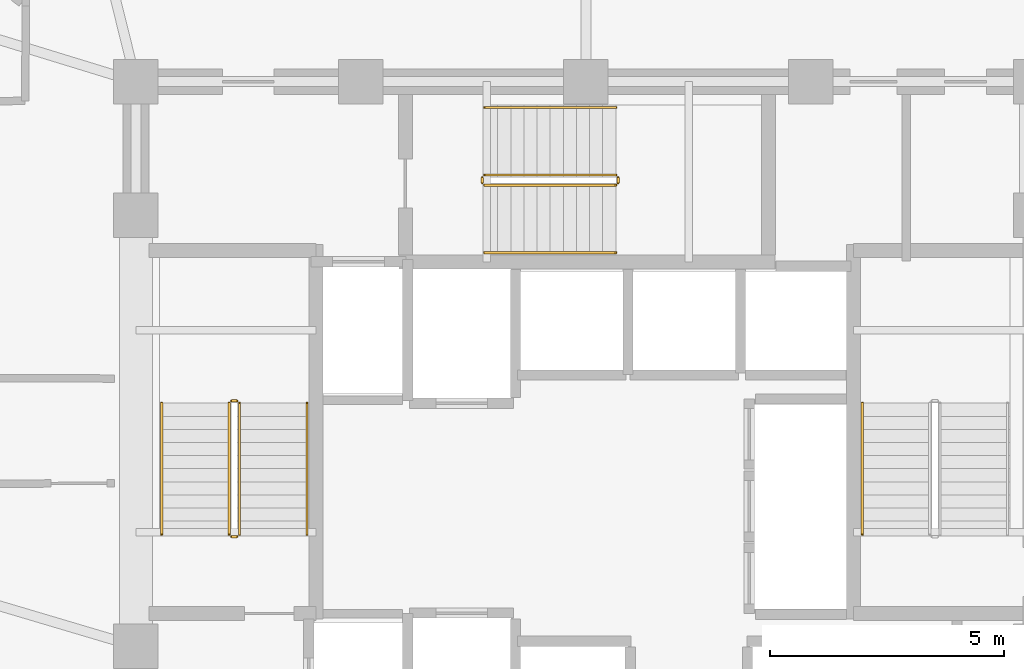
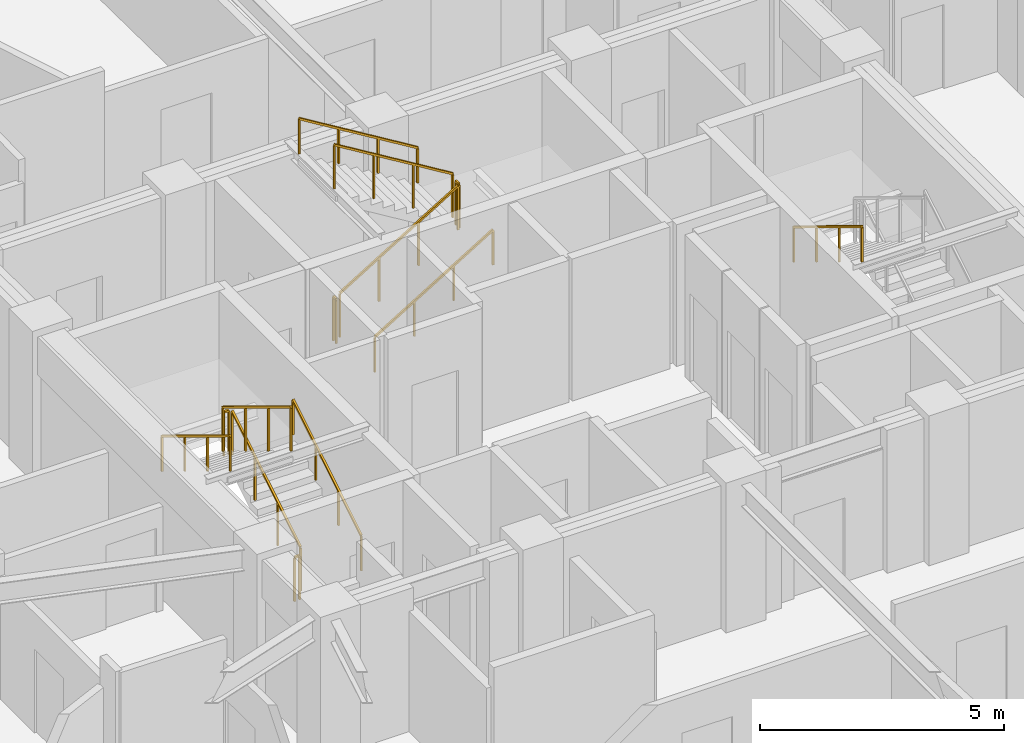
# One storey, part 11 of 13: 13 railings.
"""IFC4 building model written with IfcOpenShell, lengths in metres."""

from ifc_helpers import new_model, si_unit, direction, frame, origin, origin_2d, place, context, subcontext, project, spatial, rectangle, extrude, material, type_object, element, save


model = new_model("IFC4")

# Units and contexts
model_context = context("Model", 3, precision=1e-05, world=origin(), true_north=direction((0.0, 1.0)))
body_context = subcontext(model_context, "Body", "Model", "MODEL_VIEW")
ifc_project = project(units=[si_unit("LENGTHUNIT", "METRE"), si_unit("AREAUNIT", "SQUARE_METRE"), si_unit("VOLUMEUNIT", "CUBIC_METRE"), si_unit("PLANEANGLEUNIT", "RADIAN"), si_unit("MASSUNIT", "GRAM", prefix="KILO")], contexts=[model_context])

# Site, building, storey
site_placement = place(None, origin())
site = spatial("IfcSite", under=ifc_project, at=site_placement, CompositionType="ELEMENT")
building_placement = place(site_placement, origin())
building = spatial("IfcBuilding", under=site, at=building_placement, Name="Vantalir Tower", CompositionType="ELEMENT")
storey_placement = place(building_placement, frame((0.0, 0.0, 127.199951171875)))
storey = spatial("IfcBuildingStorey", under=building, at=storey_placement, Name="L31", CompositionType="ELEMENT", Elevation=127.199951171875)

# Railings
ifc_material_1 = material(Name="Anodised aluminium and stainless steel guard", Category="steel")
railing_type_1 = type_object("IfcRailingType", Name="RAL-GUARD-1120", PredefinedType="GUARDRAIL", material=ifc_material_1)
railing_1_placement = place(storey_placement, frame((24.110107421875, 22.7900390625, 0.17041015625)))
element("IfcRailing", 1, at=railing_1_placement, inside=storey, type_object=railing_type_1, Name="L31 ST1 stair guard 1", PredefinedType="GUARDRAIL", context=body_context, shape_type="SweptSolid", body=[
    extrude(rectangle(XDim=0.048095703125, YDim=0.048095703125, at=origin_2d()), frame((0.0, 0.0, 1.09619140625), z_axis=(0.0, 0.854169791009, 0.51999420009), x_axis=(-1.0, 0.0, 0.0)), (0.0, 0.0, 1.0), 3.278076171875),
    extrude(rectangle(XDim=0.0419921875, YDim=0.0419921875, at=origin_2d()), origin(), (0.0, 0.0, 1.0), 1.072021484375),
    extrude(rectangle(XDim=0.0419921875, YDim=0.0419921875, at=origin_2d()), frame((0.0, 0.933349609375, 0.568115234375)), (0.0, 0.0, 1.0), 1.072021484375),
    extrude(rectangle(XDim=0.0419921875, YDim=0.0419921875, at=origin_2d()), frame((0.0, 1.86669921875, 1.136474609375)), (0.0, 0.0, 1.0), 1.072021484375),
    extrude(rectangle(XDim=0.0419921875, YDim=0.0419921875, at=origin_2d()), frame((0.0, 2.800048828125, 1.70458984375)), (0.0, 0.0, 1.0), 1.072021484375),
])
railing_2_placement = place(storey_placement, frame((24.06005859375, 25.639892578125, 1.875)))
element("IfcRailing", 2, at=railing_2_placement, inside=storey, type_object=railing_type_1, Name="L31 ST1 stair guard 2", PredefinedType="GUARDRAIL", context=body_context, shape_type="SweptSolid", body=[
    extrude(rectangle(XDim=0.048095703125, YDim=0.048095703125, at=origin_2d()), frame((0.0, 0.0, 1.09619140625), z_axis=(-1.0, 0.0, 0.0), x_axis=(0.0, -1.0, 0.0)), (0.0, 0.0, 1.0), 0.1201171875),
    extrude(rectangle(XDim=0.0419921875, YDim=0.0419921875, at=origin_2d()), origin(), (0.0, 0.0, 1.0), 1.072021484375),
    extrude(rectangle(XDim=0.0419921875, YDim=0.0419921875, at=origin_2d()), frame((-0.1201171875, 0.0, 0.0)), (0.0, 0.0, 1.0), 1.072021484375),
])
railing_3_placement = place(storey_placement, frame((23.889892578125, 25.590087890625, 2.04541015625)))
element("IfcRailing", 3, at=railing_3_placement, inside=storey, type_object=railing_type_1, Name="L31 ST1 stair guard 3", PredefinedType="GUARDRAIL", context=body_context, shape_type="SweptSolid", body=[
    extrude(rectangle(XDim=0.048095703125, YDim=0.048095703125, at=origin_2d()), frame((0.0, 0.0, 1.09619140625), z_axis=(0.0, -0.854169791009, 0.51999420009), x_axis=(1.0, 0.0, 0.0)), (0.0, 0.0, 1.0), 3.278076171875),
    extrude(rectangle(XDim=0.0419921875, YDim=0.0419921875, at=origin_2d()), origin(), (0.0, 0.0, 1.0), 1.072021484375),
    extrude(rectangle(XDim=0.0419921875, YDim=0.0419921875, at=origin_2d()), frame((0.0, -0.933349609375, 0.568115234375)), (0.0, 0.0, 1.0), 1.072021484375),
    extrude(rectangle(XDim=0.0419921875, YDim=0.0419921875, at=origin_2d()), frame((0.0, -1.86669921875, 1.136474609375)), (0.0, 0.0, 1.0), 1.072021484375),
    extrude(rectangle(XDim=0.0419921875, YDim=0.0419921875, at=origin_2d()), frame((0.0, -2.800048828125, 1.70458984375)), (0.0, 0.0, 1.0), 1.072021484375),
])
railing_4_placement = place(storey_placement, frame((24.06005859375, 22.739990234375, 0.0)))
element("IfcRailing", 4, at=railing_4_placement, inside=storey, type_object=railing_type_1, Name="L31 ST1 stair guard 4", PredefinedType="GUARDRAIL", context=body_context, shape_type="SweptSolid", body=[
    extrude(rectangle(XDim=0.048095703125, YDim=0.048095703125, at=origin_2d()), frame((0.0, 0.0, 1.09619140625), z_axis=(-1.0, 0.0, 0.0), x_axis=(0.0, -1.0, 0.0)), (0.0, 0.0, 1.0), 0.1201171875),
    extrude(rectangle(XDim=0.0419921875, YDim=0.0419921875, at=origin_2d()), origin(), (0.0, 0.0, 1.0), 1.072021484375),
    extrude(rectangle(XDim=0.0419921875, YDim=0.0419921875, at=origin_2d()), frame((-0.1201171875, 0.0, 0.0)), (0.0, 0.0, 1.0), 1.072021484375),
])
railing_5_placement = place(storey_placement, frame((29.340087890625, 30.239990234375, 0.17041015625)))
element("IfcRailing", 5, at=railing_5_placement, inside=storey, type_object=railing_type_1, Name="L31 ST3 stair guard 1", PredefinedType="GUARDRAIL", context=body_context, shape_type="SweptSolid", body=[
    extrude(rectangle(XDim=0.048095703125, YDim=0.048095703125, at=origin_2d()), frame((0.0, 0.0, 1.09619140625), z_axis=(0.854149651119, 0.0, 0.520027281489), x_axis=(0.0, 1.0, 0.0)), (0.0, 0.0, 1.0), 3.27783203125),
    extrude(rectangle(XDim=0.0419921875, YDim=0.0419921875, at=origin_2d()), origin(), (0.0, 0.0, 1.0), 1.072021484375),
    extrude(rectangle(XDim=0.0419921875, YDim=0.0419921875, at=origin_2d()), frame((0.933349609375, 0.0, 0.568115234375)), (0.0, 0.0, 1.0), 1.072021484375),
    extrude(rectangle(XDim=0.0419921875, YDim=0.0419921875, at=origin_2d()), frame((1.866455078125, 0.0, 1.136474609375)), (0.0, 0.0, 1.0), 1.072021484375),
    extrude(rectangle(XDim=0.0419921875, YDim=0.0419921875, at=origin_2d()), frame((2.7998046875, 0.0, 1.70458984375)), (0.0, 0.0, 1.0), 1.072021484375),
])
railing_6_placement = place(storey_placement, frame((32.18994140625, 30.2900390625, 1.875)))
element("IfcRailing", 6, at=railing_6_placement, inside=storey, type_object=railing_type_1, Name="L31 ST3 stair guard 2", PredefinedType="GUARDRAIL", context=body_context, shape_type="SweptSolid", body=[
    extrude(rectangle(XDim=0.048095703125, YDim=0.048095703125, at=origin_2d()), frame((0.0, 0.0, 1.09619140625), z_axis=(0.0, 1.0, 0.0), x_axis=(-1.0, 0.0, 0.0)), (0.0, 0.0, 1.0), 0.119873046875),
    extrude(rectangle(XDim=0.0419921875, YDim=0.0419921875, at=origin_2d()), origin(), (0.0, 0.0, 1.0), 1.072021484375),
    extrude(rectangle(XDim=0.0419921875, YDim=0.0419921875, at=origin_2d()), frame((0.0, 0.119873046875, 0.0)), (0.0, 0.0, 1.0), 1.072021484375),
])
railing_7_placement = place(storey_placement, frame((32.139892578125, 30.4599609375, 2.04541015625)))
element("IfcRailing", 7, at=railing_7_placement, inside=storey, type_object=railing_type_1, Name="L31 ST3 stair guard 3", PredefinedType="GUARDRAIL", context=body_context, shape_type="SweptSolid", body=[
    extrude(rectangle(XDim=0.048095703125, YDim=0.048095703125, at=origin_2d()), frame((0.0, 0.0, 1.09619140625), z_axis=(-0.854149651119, 0.0, 0.520027281489), x_axis=(0.0, -1.0, 0.0)), (0.0, 0.0, 1.0), 3.27783203125),
    extrude(rectangle(XDim=0.0419921875, YDim=0.0419921875, at=origin_2d()), origin(), (0.0, 0.0, 1.0), 1.072021484375),
    extrude(rectangle(XDim=0.0419921875, YDim=0.0419921875, at=origin_2d()), frame((-0.933349609375, 0.0, 0.568115234375)), (0.0, 0.0, 1.0), 1.072021484375),
    extrude(rectangle(XDim=0.0419921875, YDim=0.0419921875, at=origin_2d()), frame((-1.866455078125, 0.0, 1.136474609375)), (0.0, 0.0, 1.0), 1.072021484375),
    extrude(rectangle(XDim=0.0419921875, YDim=0.0419921875, at=origin_2d()), frame((-2.7998046875, 0.0, 1.70458984375)), (0.0, 0.0, 1.0), 1.072021484375),
])
railing_8_placement = place(storey_placement, frame((29.2900390625, 30.2900390625, 0.0)))
element("IfcRailing", 8, at=railing_8_placement, inside=storey, type_object=railing_type_1, Name="L31 ST3 stair guard 4", PredefinedType="GUARDRAIL", context=body_context, shape_type="SweptSolid", body=[
    extrude(rectangle(XDim=0.048095703125, YDim=0.048095703125, at=origin_2d()), frame((0.0, 0.0, 1.09619140625), z_axis=(0.0, 1.0, 0.0), x_axis=(-1.0, 0.0, 0.0)), (0.0, 0.0, 1.0), 0.119873046875),
    extrude(rectangle(XDim=0.0419921875, YDim=0.0419921875, at=origin_2d()), origin(), (0.0, 0.0, 1.0), 1.072021484375),
    extrude(rectangle(XDim=0.0419921875, YDim=0.0419921875, at=origin_2d()), frame((0.0, 0.119873046875, 0.0)), (0.0, 0.0, 1.0), 1.072021484375),
])
ifc_material_2 = material(Name="Brushed stainless steel tubular handrail", Category="steel")
railing_type_2 = type_object("IfcRailingType", Name="RAL-HANDRAIL-900", PredefinedType="HANDRAIL", material=ifc_material_2)
railing_9_placement = place(storey_placement, frame((25.550048828125, 22.7900390625, 0.17041015625)))
element("IfcRailing", 9, at=railing_9_placement, inside=storey, type_object=railing_type_2, Name="L31 ST1 stair handrail 1", PredefinedType="HANDRAIL", context=body_context, shape_type="SweptSolid", body=[
    extrude(rectangle(XDim=0.048095703125, YDim=0.048095703125, at=origin_2d()), frame((0.0, 0.0, 0.8759765625), z_axis=(0.0, 0.854169791009, 0.51999420009), x_axis=(-1.0, 0.0, 0.0)), (0.0, 0.0, 1.0), 3.278076171875),
    extrude(rectangle(XDim=0.0419921875, YDim=0.0419921875, at=origin_2d()), origin(), (0.0, 0.0, 1.0), 0.851806640625),
    extrude(rectangle(XDim=0.0419921875, YDim=0.0419921875, at=origin_2d()), frame((0.0, 0.933349609375, 0.568115234375)), (0.0, 0.0, 1.0), 0.851806640625),
    extrude(rectangle(XDim=0.0419921875, YDim=0.0419921875, at=origin_2d()), frame((0.0, 1.86669921875, 1.136474609375)), (0.0, 0.0, 1.0), 0.851806640625),
    extrude(rectangle(XDim=0.0419921875, YDim=0.0419921875, at=origin_2d()), frame((0.0, 2.800048828125, 1.70458984375)), (0.0, 0.0, 1.0), 0.851806640625),
])
for number, where, name in (
    (10, (22.449951171875, 25.590087890625, 2.04541015625), "L31 ST1 stair handrail 2"),
    (11, (37.39990234375, 25.590087890625, 2.04541015625), "L31 ST2 stair handrail 2"),
):
    element("IfcRailing", number, at=place(storey_placement, frame(where)), inside=storey, type_object=railing_type_2, Name=name, PredefinedType="HANDRAIL", context=body_context, shape_type="SweptSolid", body=[
        extrude(rectangle(XDim=0.048095703125, YDim=0.048095703125, at=origin_2d()), frame((0.0, 0.0, 0.8759765625), z_axis=(0.0, -0.854169791009, 0.51999420009), x_axis=(1.0, 0.0, 0.0)), (0.0, 0.0, 1.0), 3.278076171875),
        extrude(rectangle(XDim=0.0419921875, YDim=0.0419921875, at=origin_2d()), origin(), (0.0, 0.0, 1.0), 0.851806640625),
        extrude(rectangle(XDim=0.0419921875, YDim=0.0419921875, at=origin_2d()), frame((0.0, -0.933349609375, 0.568115234375)), (0.0, 0.0, 1.0), 0.851806640625),
        extrude(rectangle(XDim=0.0419921875, YDim=0.0419921875, at=origin_2d()), frame((0.0, -1.86669921875, 1.136474609375)), (0.0, 0.0, 1.0), 0.851806640625),
        extrude(rectangle(XDim=0.0419921875, YDim=0.0419921875, at=origin_2d()), frame((0.0, -2.800048828125, 1.70458984375)), (0.0, 0.0, 1.0), 0.851806640625),
    ])
railing_10_placement = place(storey_placement, frame((29.340087890625, 28.800048828125, 0.17041015625)))
element("IfcRailing", 12, at=railing_10_placement, inside=storey, type_object=railing_type_2, Name="L31 ST3 stair handrail 1", PredefinedType="HANDRAIL", context=body_context, shape_type="SweptSolid", body=[
    extrude(rectangle(XDim=0.048095703125, YDim=0.048095703125, at=origin_2d()), frame((0.0, 0.0, 0.8759765625), z_axis=(0.854149651119, 0.0, 0.520027281489), x_axis=(0.0, 1.0, 0.0)), (0.0, 0.0, 1.0), 3.27783203125),
    extrude(rectangle(XDim=0.0419921875, YDim=0.0419921875, at=origin_2d()), origin(), (0.0, 0.0, 1.0), 0.851806640625),
    extrude(rectangle(XDim=0.0419921875, YDim=0.0419921875, at=origin_2d()), frame((0.933349609375, 0.0, 0.568115234375)), (0.0, 0.0, 1.0), 0.851806640625),
    extrude(rectangle(XDim=0.0419921875, YDim=0.0419921875, at=origin_2d()), frame((1.866455078125, 0.0, 1.136474609375)), (0.0, 0.0, 1.0), 0.851806640625),
    extrude(rectangle(XDim=0.0419921875, YDim=0.0419921875, at=origin_2d()), frame((2.7998046875, 0.0, 1.70458984375)), (0.0, 0.0, 1.0), 0.851806640625),
])
railing_11_placement = place(storey_placement, frame((32.139892578125, 31.89990234375, 2.04541015625)))
element("IfcRailing", 13, at=railing_11_placement, inside=storey, type_object=railing_type_2, Name="L31 ST3 stair handrail 2", PredefinedType="HANDRAIL", context=body_context, shape_type="SweptSolid", body=[
    extrude(rectangle(XDim=0.048095703125, YDim=0.048095703125, at=origin_2d()), frame((0.0, 0.0, 0.8759765625), z_axis=(-0.854149651119, 0.0, 0.520027281489), x_axis=(0.0, -1.0, 0.0)), (0.0, 0.0, 1.0), 3.27783203125),
    extrude(rectangle(XDim=0.0419921875, YDim=0.0419921875, at=origin_2d()), origin(), (0.0, 0.0, 1.0), 0.851806640625),
    extrude(rectangle(XDim=0.0419921875, YDim=0.0419921875, at=origin_2d()), frame((-0.933349609375, 0.0, 0.568115234375)), (0.0, 0.0, 1.0), 0.851806640625),
    extrude(rectangle(XDim=0.0419921875, YDim=0.0419921875, at=origin_2d()), frame((-1.866455078125, 0.0, 1.136474609375)), (0.0, 0.0, 1.0), 0.851806640625),
    extrude(rectangle(XDim=0.0419921875, YDim=0.0419921875, at=origin_2d()), frame((-2.7998046875, 0.0, 1.70458984375)), (0.0, 0.0, 1.0), 0.851806640625),
])

save(model, "model.ifc")
